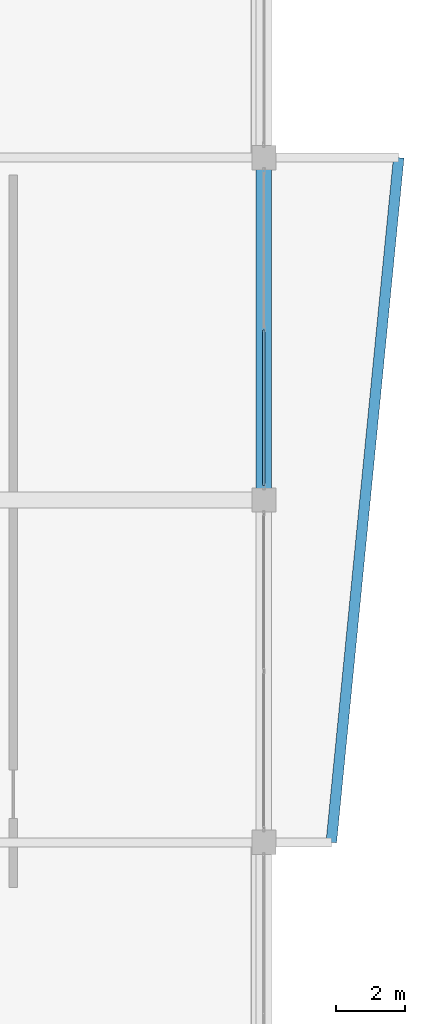
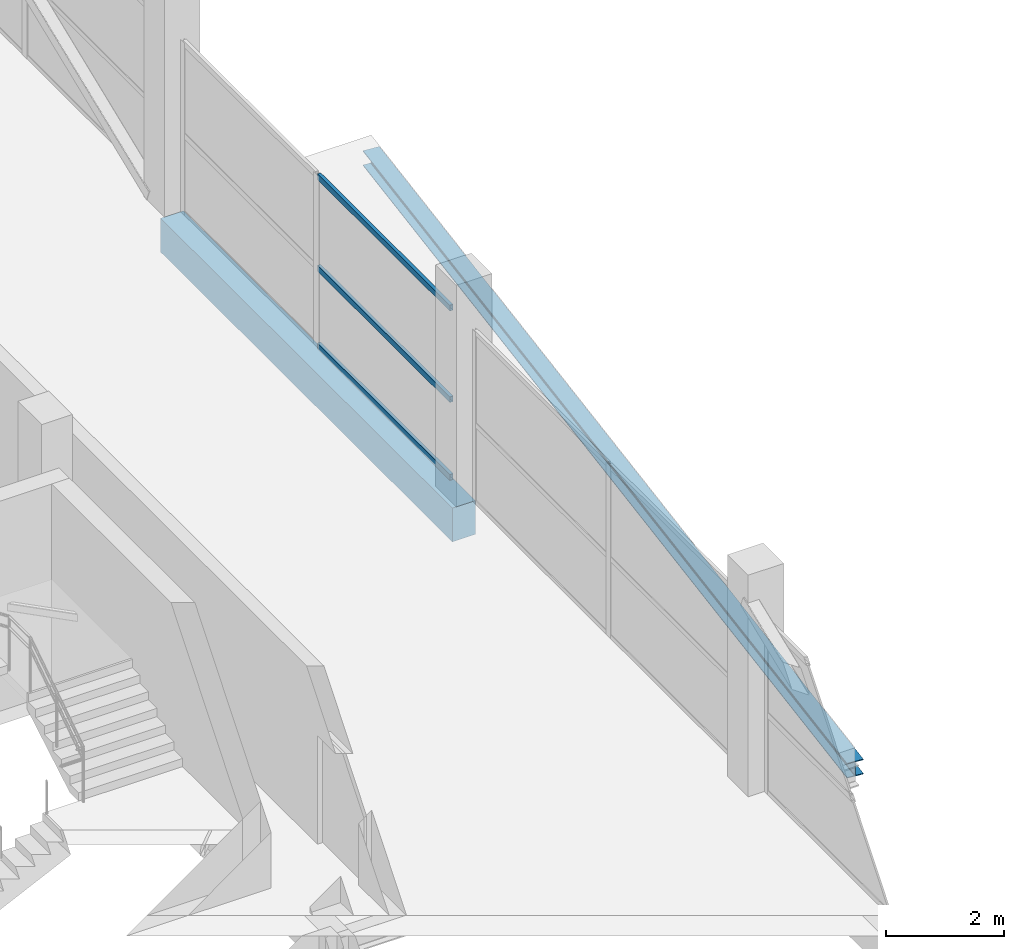
# One storey, part 26 of 58: 3 members, 2 beams, 1 element without a shape of its own.
"""IFC4 building model written with IfcOpenShell, lengths in metres."""

from ifc_helpers import new_model, si_unit, direction, frame, origin, origin_2d, place, context, subcontext, project, spatial, rectangle, hollow_rectangle, i_section, extrude, material, layer, layer_set, material_profile, profile_set, type_object, element, aggregate, save


model = new_model("IFC4")

# Units and contexts
model_context = context("Model", 3, precision=1e-05, world=origin(), true_north=direction((0.0, 1.0)))
body_context = subcontext(model_context, "Body", "Model", "MODEL_VIEW")
ifc_project = project(units=[si_unit("LENGTHUNIT", "METRE"), si_unit("AREAUNIT", "SQUARE_METRE"), si_unit("VOLUMEUNIT", "CUBIC_METRE"), si_unit("PLANEANGLEUNIT", "RADIAN"), si_unit("MASSUNIT", "GRAM", prefix="KILO")], contexts=[model_context])

# Site, building, storey
site_placement = place(None, origin())
site = spatial("IfcSite", under=ifc_project, at=site_placement, CompositionType="ELEMENT")
building_placement = place(site_placement, origin())
building = spatial("IfcBuilding", under=site, at=building_placement, Name="Sillaruma Civic Art Gallery", CompositionType="ELEMENT")
storey_placement = place(building_placement, frame((0.0, 0.0, 28.56005859375)))
storey = spatial("IfcBuildingStorey", under=building, at=storey_placement, Name="L05", CompositionType="ELEMENT", Elevation=28.56005859375)

# Beams
ifc_material_1 = material(Name="Structural Steel ASTM A992 Gr.50", Category="steel")
ifc_material_profile_1 = material_profile(ifc_material_1, i_section(OverallWidth=0.305908203125, OverallDepth=0.31103515625, WebThickness=0.010986328125, FlangeThickness=0.01708984375, FilletRadius=0.014892578125, at=origin_2d()), Name="W310x107")
ifc_profile_set_1 = profile_set([ifc_material_profile_1], Name="Structural Steel ASTM A992 Gr.50")
beam_type_1 = type_object("IfcBeamType", Name="BM-PROW-W310x107", PredefinedType="SPANDREL", material=ifc_profile_set_1)
beam_1_placement = place(storey_placement, frame((116.35009765625, 49.5, -0.435546875), z_axis=(0.098008009694, 0.995185625919, 0.0), x_axis=(-0.995185625919, 0.098008009694, 0.0)))
element("IfcBeam", 1, at=beam_1_placement, inside=storey, type_object=beam_type_1, Name="Angled Prow Edge Spandrel (PRW-L04-E-ROF)", PredefinedType="SPANDREL", context=body_context, shape_type="SweptSolid", body=[
    extrude(i_section(OverallWidth=0.305908203125, OverallDepth=0.31103515625, WebThickness=0.010986328125, FlangeThickness=0.01708984375, FilletRadius=0.014892578125, at=origin_2d()), origin(), (0.0, 0.0, 1.0), 19.895751953125),
])
ifc_material_2 = material(Name="Concrete H35 (35 MPa)", Category="concrete")
ifc_material_profile_2 = material_profile(ifc_material_2, rectangle(XDim=0.449951171875, YDim=0.699951171875, at=origin_2d()), Name="RCB450x700")
ifc_profile_set_2 = profile_set([ifc_material_profile_2], Name="Concrete H35 (35 MPa)")
beam_type_2 = type_object("IfcBeamType", Name="BM-SPANDREL-RCB450x700", PredefinedType="SPANDREL", material=ifc_profile_set_2)
beam_2_placement = place(storey_placement, frame((114.39990234375, 59.39990234375, -0.630126953125), z_axis=(0.0, 1.0, 0.0), x_axis=(-1.0, 0.0, 0.0)))
element("IfcBeam", 2, at=beam_2_placement, inside=storey, type_object=beam_type_2, Name="Beam BS-03 (L04:N:7-8)", PredefinedType="SPANDREL", context=body_context, shape_type="SweptSolid", body=[
    extrude(rectangle(XDim=0.449951171875, YDim=0.699951171875, at=origin_2d()), origin(), (0.0, 0.0, 1.0), 9.900146484375),
])

# Curtain wall, members
ifc_material_3 = material(Name="Thermally Broken Extruded Aluminium 6063-T6", Category="aluminium")
ifc_layer = layer(ifc_material_3, 0.179931640625, Name="Thermally Broken Extruded Aluminium 6063-T6")
ifc_layer_set = layer_set([ifc_layer], Name="Thermally Broken Extruded Aluminium 6063-T6")
curtain_wall_type = type_object("IfcCurtainWallType", Name="CW-UNI-34", PredefinedType="NOTDEFINED", material=ifc_layer_set)
curtain_wall_placement = place(storey_placement, origin())
curtain_wall = element("IfcCurtainWall", 3, at=curtain_wall_placement, inside=storey, type_object=curtain_wall_type, Name="Unitised Curtain Wall CW-34 (CW-L05-E-5)", PredefinedType="NOTDEFINED")
ifc_material_profile_3 = material_profile(ifc_material_3, hollow_rectangle(XDim=0.06494140625, YDim=0.1201171875, WallThickness=0.00341796875, at=origin_2d()), Name="CWT65x120")
ifc_profile_set_3 = profile_set([ifc_material_profile_3], Name="Thermally Broken Extruded Aluminium 6063-T6")
member_type = type_object("IfcMemberType", Name="MEM-TRN-CWT65x120", PredefinedType="USERDEFINED", material=ifc_profile_set_3)
member_1_placement = place(storey_placement, frame((114.39990234375, 59.820068359375, 0.032470703125), z_axis=(0.0, 1.0, 0.0), x_axis=(-1.0, 0.0, 0.0)))
member_1 = element("IfcMember", 4, at=member_1_placement, type_object=member_type, Name="CW-34 transom 1.1", ObjectType="TRANSOM", PredefinedType="USERDEFINED", context=body_context, shape_type="SweptSolid", body=[
    extrude(hollow_rectangle(XDim=0.06494140625, YDim=0.1201171875, WallThickness=0.00341796875, at=origin_2d()), origin(), (0.0, 0.0, 1.0), 4.494873046875),
])
member_2_placement = place(storey_placement, frame((114.39990234375, 59.820068359375, 1.64208984375), z_axis=(0.0, 1.0, 0.0), x_axis=(-1.0, 0.0, 0.0)))
member_2 = element("IfcMember", 5, at=member_2_placement, type_object=member_type, Name="CW-34 transom 1.2", ObjectType="TRANSOM", PredefinedType="USERDEFINED", context=body_context, shape_type="SweptSolid", body=[
    extrude(hollow_rectangle(XDim=0.06494140625, YDim=0.1201171875, WallThickness=0.00341796875, at=origin_2d()), origin(), (0.0, 0.0, 1.0), 4.494873046875),
])
member_3_placement = place(storey_placement, frame((114.39990234375, 59.820068359375, 3.537353515625), z_axis=(0.0, 1.0, 0.0), x_axis=(-1.0, 0.0, 0.0)))
member_3 = element("IfcMember", 6, at=member_3_placement, type_object=member_type, Name="CW-34 transom 1.3", ObjectType="TRANSOM", PredefinedType="USERDEFINED", context=body_context, shape_type="SweptSolid", body=[
    extrude(hollow_rectangle(XDim=0.06494140625, YDim=0.1201171875, WallThickness=0.00341796875, at=origin_2d()), origin(), (0.0, 0.0, 1.0), 4.494873046875),
])
aggregate(curtain_wall, [member_1, member_2, member_3])

save(model, "model.ifc")
